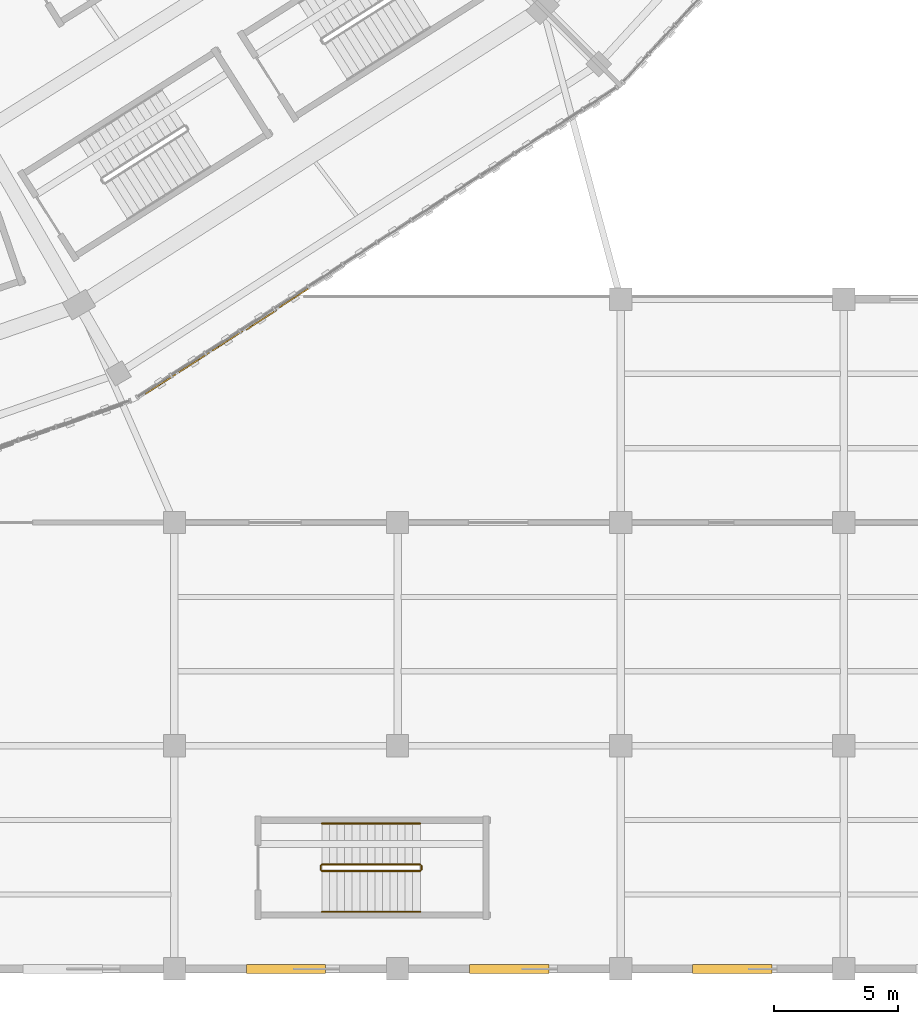
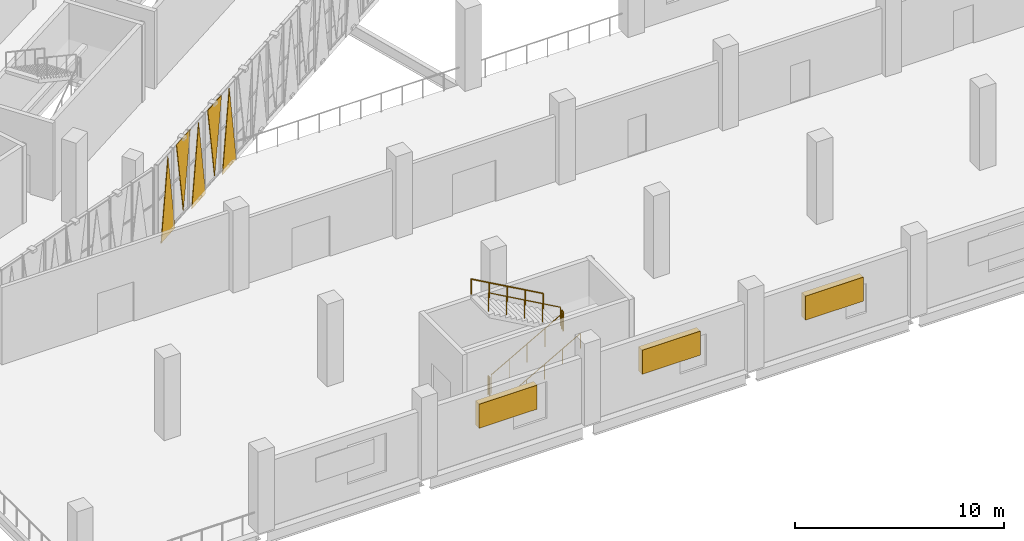
# One storey, part 145 of 183: 6 railings, 5 coverings, 3 shading devices.
"""IFC4 building model written with IfcOpenShell, lengths in metres."""

from ifc_helpers import new_model, si_unit, direction, frame, origin, origin_2d, place, context, subcontext, project, spatial, polyline, rectangle, circle, outline, extrude, material, layer, layer_set, type_object, element, save


model = new_model("IFC4")

# Units and contexts
model_context = context("Model", 3, precision=1e-05, world=origin(), true_north=direction((0.0, 1.0)))
body_context = subcontext(model_context, "Body", "Model", "MODEL_VIEW")
ifc_project = project(units=[si_unit("LENGTHUNIT", "METRE"), si_unit("AREAUNIT", "SQUARE_METRE"), si_unit("VOLUMEUNIT", "CUBIC_METRE"), si_unit("PLANEANGLEUNIT", "RADIAN"), si_unit("MASSUNIT", "GRAM", prefix="KILO")], contexts=[model_context])

# Site, building, storey
site_placement = place(None, origin())
site = spatial("IfcSite", under=ifc_project, at=site_placement, CompositionType="ELEMENT")
building_placement = place(site_placement, origin())
building = spatial("IfcBuilding", under=site, at=building_placement, Name="Zevraka Park Crest Stadium", CompositionType="ELEMENT")
storey_placement = place(building_placement, frame((0.0, 0.0, 5.39990234375)))
storey = spatial("IfcBuildingStorey", under=building, at=storey_placement, Name="L01", CompositionType="ELEMENT", Elevation=5.39990234375)

# Coverings
ifc_material_1 = material(Name="Architectural golden-bronze perforated aluminium", Category="aluminium")
ifc_layer_1 = layer(ifc_material_1, 0.034912109375)
ifc_layer_set_1 = layer_set([ifc_layer_1], Name="Architectural golden-bronze perforated aluminium")
covering_type = type_object("IfcCoveringType", Name="CLD01", PredefinedType="CLADDING", material=ifc_layer_set_1)
covering_1_placement = place(storey_placement, frame((159.844970703125, 23.178955078125, -0.260009765625), z_axis=(0.542438504887, -0.840095510683, 3.668756e-05), x_axis=(0.840095511248, 0.542438505252, 0.0)))
element("IfcCovering", 1, at=covering_1_placement, inside=storey, type_object=covering_type, Name="Triangular Golden-Bronze Perforated Cladding L01-20-1", PredefinedType="CLADDING", context=body_context, shape_type="SweptSolid", body=[
    extrude(outline(polyline([(0.0, 0.0), (1.4452063031746218, 0.0), (0.7225668165035711, 4.6000976593458125), (0.0, 0.0)])), origin(), (0.0, 0.0, -1.0), 0.034912109375),
])
covering_2_placement = place(storey_placement, frame((162.407958984375, 24.833984375, 4.5), z_axis=(0.542515495778, -0.840045794148, 2.3960234e-05), x_axis=(-0.840045794389, -0.542515495934, 0.0)))
element("IfcCovering", 2, at=covering_2_placement, inside=storey, type_object=covering_type, Name="Triangular Golden-Bronze Perforated Cladding L01-20-2", PredefinedType="CLADDING", context=body_context, shape_type="SweptSolid", body=[
    extrude(outline(polyline([(0.0, 0.0), (1.4450012077999677, 0.0), (0.7225668289361087, 4.279785157478496), (0.0, 0.0)])), origin(), (0.0, 0.0, -1.0), 0.034912109375),
])
covering_3_placement = place(storey_placement, frame((162.5419921875, 24.9208984375, -0.260009765625), z_axis=(0.542557713864, -0.840018527724, 1.4397562e-05), x_axis=(0.840018527811, 0.542557713921, 0.0)))
element("IfcCovering", 3, at=covering_3_placement, inside=storey, type_object=covering_type, Name="Triangular Golden-Bronze Perforated Cladding L01-20-3", PredefinedType="CLADDING", context=body_context, shape_type="SweptSolid", body=[
    extrude(outline(polyline([(0.0, 0.0), (1.4453387490028242, 1.6940658945086007e-21), (0.7225668331772165, 4.600097656726777), (0.0, 0.0)])), origin(), (0.0, 0.0, -1.0), 0.034912109375),
])
covering_4_placement = place(storey_placement, frame((165.10498046875, 26.575927734375, 4.5), z_axis=(-0.542607308188, 0.839986492333, 4.2410038e-05), x_axis=(-0.839986493089, -0.542607308676, 0.0)))
element("IfcCovering", 4, at=covering_4_placement, inside=storey, type_object=covering_type, Name="Triangular Golden-Bronze Perforated Cladding L01-20-4", PredefinedType="CLADDING", context=body_context, shape_type="SweptSolid", body=[
    extrude(outline(polyline([(0.0, 0.0), (1.446556463255764, 3.3881317890172014e-21), (0.722434363340672, -4.279785160098836), (0.0, 0.0)])), origin(), (0.0, 0.0, -1.0), 0.034912109375),
])
covering_5_placement = place(storey_placement, frame((165.239013671875, 26.662109375, -0.260009765625), z_axis=(0.542992143946, -0.839737772846, 6.6851006e-05), x_axis=(0.839737774722, 0.542992145159, 0.0)))
element("IfcCovering", 5, at=covering_5_placement, inside=storey, type_object=covering_type, Name="Triangular Golden-Bronze Perforated Cladding L01-20-5", PredefinedType="CLADDING", context=body_context, shape_type="SweptSolid", body=[
    extrude(outline(polyline([(0.0, 0.0), (1.4455312408705225, 0.0), (0.7229644700977951, 4.6000976665290505), (0.0, 0.0)])), origin(), (0.0, 0.0, -1.0), 0.034912109375),
])

# Railings
ifc_material_2 = material(Name="Powder-coated tubular steel stairwell guard", Category="steel")
railing_type_1 = type_object("IfcRailingType", Name="GR03", PredefinedType="GUARDRAIL", material=ifc_material_2)
railing_1_placement = place(storey_placement, frame((166.949951171875, 3.949951171875, 0.171630859375)))
element("IfcRailing", 6, at=railing_1_placement, inside=storey, type_object=railing_type_1, Name="L01 ST53 stair guard 1", PredefinedType="GUARDRAIL", context=body_context, shape_type="SweptSolid", body=[
    extrude(circle(Radius=0.02392578125, at=origin_2d()), frame((0.0, 0.0, 1.076171875), z_axis=(0.871748933509, 0.0, 0.489952851738), x_axis=(0.0, 1.0, 0.0)), (0.0, 0.0, 1.0), 4.54833984375),
    extrude(circle(Radius=0.02099609375, at=origin_2d()), origin(), (0.0, 0.0, 1.0), 1.052001953125),
    extrude(circle(Radius=0.02099609375, at=origin_2d()), frame((0.9912109375, 0.0, 0.55712890625)), (0.0, 0.0, 1.0), 1.052001953125),
    extrude(circle(Radius=0.02099609375, at=origin_2d()), frame((1.982421875, 0.0, 1.1142578125)), (0.0, 0.0, 1.0), 1.052001953125),
    extrude(circle(Radius=0.02099609375, at=origin_2d()), frame((2.973876953125, 0.0, 1.67138671875)), (0.0, 0.0, 1.0), 1.052001953125),
    extrude(circle(Radius=0.02099609375, at=origin_2d()), frame((3.965087890625, 0.0, 2.228515625)), (0.0, 0.0, 1.0), 1.052001953125),
])
railing_2_placement = place(storey_placement, frame((170.965087890625, 4.0, 2.400146484375)))
element("IfcRailing", 7, at=railing_2_placement, inside=storey, type_object=railing_type_1, Name="L01 ST53 stair guard 2", PredefinedType="GUARDRAIL", context=body_context, shape_type="SweptSolid", body=[
    extrude(circle(Radius=0.02392578125, at=origin_2d()), frame((0.0, 0.0, 1.076171875), z_axis=(0.0, 1.0, 0.0), x_axis=(-1.0, 0.0, 0.0)), (0.0, 0.0, 1.0), 0.159912109375),
    extrude(circle(Radius=0.02099609375, at=origin_2d()), origin(), (0.0, 0.0, 1.0), 1.052001953125),
    extrude(circle(Radius=0.02099609375, at=origin_2d()), frame((0.0, 0.159912109375, 0.0)), (0.0, 0.0, 1.0), 1.052001953125),
])
railing_3_placement = place(storey_placement, frame((170.9150390625, 4.2099609375, 2.571533203125)))
element("IfcRailing", 8, at=railing_3_placement, inside=storey, type_object=railing_type_1, Name="L01 ST53 stair guard 3", PredefinedType="GUARDRAIL", context=body_context, shape_type="SweptSolid", body=[
    extrude(circle(Radius=0.02392578125, at=origin_2d()), frame((0.0, 0.0, 1.076171875), z_axis=(-0.871748933509, 0.0, 0.489952851738), x_axis=(0.0, -1.0, 0.0)), (0.0, 0.0, 1.0), 4.54833984375),
    extrude(circle(Radius=0.02099609375, at=origin_2d()), origin(), (0.0, 0.0, 1.0), 1.052001953125),
    extrude(circle(Radius=0.02099609375, at=origin_2d()), frame((-0.9912109375, 0.0, 0.55712890625)), (0.0, 0.0, 1.0), 1.052001953125),
    extrude(circle(Radius=0.02099609375, at=origin_2d()), frame((-1.982421875, 0.0, 1.1142578125)), (0.0, 0.0, 1.0), 1.052001953125),
    extrude(circle(Radius=0.02099609375, at=origin_2d()), frame((-2.973876953125, 0.0, 1.67138671875)), (0.0, 0.0, 1.0), 1.052001953125),
    extrude(circle(Radius=0.02099609375, at=origin_2d()), frame((-3.965087890625, 0.0, 2.228515625)), (0.0, 0.0, 1.0), 1.052001953125),
])
railing_4_placement = place(storey_placement, frame((166.89990234375, 4.0, 0.0)))
element("IfcRailing", 9, at=railing_4_placement, inside=storey, type_object=railing_type_1, Name="L01 ST53 stair guard 4", PredefinedType="GUARDRAIL", context=body_context, shape_type="SweptSolid", body=[
    extrude(circle(Radius=0.02392578125, at=origin_2d()), frame((0.0, 0.0, 1.076171875), z_axis=(0.0, 1.0, 0.0), x_axis=(-1.0, 0.0, 0.0)), (0.0, 0.0, 1.0), 0.159912109375),
    extrude(circle(Radius=0.02099609375, at=origin_2d()), origin(), (0.0, 0.0, 1.0), 1.052001953125),
    extrude(circle(Radius=0.02099609375, at=origin_2d()), frame((0.0, 0.159912109375, 0.0)), (0.0, 0.0, 1.0), 1.052001953125),
])
ifc_material_3 = material(Name="Brushed stainless steel continuous handrail", Category="steel")
railing_type_2 = type_object("IfcRailingType", Name="HR01", PredefinedType="HANDRAIL", material=ifc_material_3)
railing_5_placement = place(storey_placement, frame((166.949951171875, 2.300048828125, 0.171630859375)))
element("IfcRailing", 10, at=railing_5_placement, inside=storey, type_object=railing_type_2, Name="L01 ST53 stair handrail 1", PredefinedType="HANDRAIL", context=body_context, shape_type="SweptSolid", body=[
    extrude(circle(Radius=0.02392578125, at=origin_2d()), frame((0.0, 0.0, 0.8759765625), z_axis=(0.871748933509, 0.0, 0.489952851738), x_axis=(0.0, 1.0, 0.0)), (0.0, 0.0, 1.0), 4.54833984375),
    extrude(circle(Radius=0.02099609375, at=origin_2d()), origin(), (0.0, 0.0, 1.0), 0.851806640625),
    extrude(circle(Radius=0.02099609375, at=origin_2d()), frame((0.9912109375, 0.0, 0.55712890625)), (0.0, 0.0, 1.0), 0.851806640625),
    extrude(circle(Radius=0.02099609375, at=origin_2d()), frame((1.982421875, 0.0, 1.1142578125)), (0.0, 0.0, 1.0), 0.851806640625),
    extrude(circle(Radius=0.02099609375, at=origin_2d()), frame((2.973876953125, 0.0, 1.67138671875)), (0.0, 0.0, 1.0), 0.851806640625),
    extrude(circle(Radius=0.02099609375, at=origin_2d()), frame((3.965087890625, 0.0, 2.228515625)), (0.0, 0.0, 1.0), 0.851806640625),
])
railing_6_placement = place(storey_placement, frame((170.9150390625, 5.860107421875, 2.571533203125)))
element("IfcRailing", 11, at=railing_6_placement, inside=storey, type_object=railing_type_2, Name="L01 ST53 stair handrail 2", PredefinedType="HANDRAIL", context=body_context, shape_type="SweptSolid", body=[
    extrude(circle(Radius=0.02392578125, at=origin_2d()), frame((0.0, 0.0, 0.8759765625), z_axis=(-0.871748933509, 0.0, 0.489952851738), x_axis=(0.0, -1.0, 0.0)), (0.0, 0.0, 1.0), 4.54833984375),
    extrude(circle(Radius=0.02099609375, at=origin_2d()), origin(), (0.0, 0.0, 1.0), 0.851806640625),
    extrude(circle(Radius=0.02099609375, at=origin_2d()), frame((-0.9912109375, 0.0, 0.55712890625)), (0.0, 0.0, 1.0), 0.851806640625),
    extrude(circle(Radius=0.02099609375, at=origin_2d()), frame((-1.982421875, 0.0, 1.1142578125)), (0.0, 0.0, 1.0), 0.851806640625),
    extrude(circle(Radius=0.02099609375, at=origin_2d()), frame((-2.973876953125, 0.0, 1.67138671875)), (0.0, 0.0, 1.0), 0.851806640625),
    extrude(circle(Radius=0.02099609375, at=origin_2d()), frame((-3.965087890625, 0.0, 2.228515625)), (0.0, 0.0, 1.0), 0.851806640625),
])

# Shading devices
ifc_material_4 = material(Name="Terracotta and bronze acoustic ventilation louvre", Category="masonry")
ifc_layer_2 = layer(ifc_material_4, 0.080078125)
ifc_layer_set_2 = layer_set([ifc_layer_2], Name="Terracotta and bronze acoustic ventilation louvre")
shading_device_type = type_object("IfcShadingDeviceType", Name="LVR01", PredefinedType="USERDEFINED", material=ifc_layer_set_2)
for number, where, z_axis, x_axis, name in (
    (12, (183.5, 0.0, 1.7001953125), (0.0, 0.0, 1.0), (-1.0, 0.0, 0.0), "Plant Ventilation Louvre LVR01 L01-5"),
    (13, (174.5, 0.0, 1.7001953125), (0.0, 0.0, 1.0), (-1.0, 0.0, 0.0), "Plant Ventilation Louvre LVR01 L01-6"),
    (14, (165.5, 0.0, 1.7001953125), (0.0, 0.0, 1.0), (-1.0, 0.0, 0.0), "Plant Ventilation Louvre LVR01 L01-7"),
):
    element("IfcShadingDevice", number, at=place(storey_placement, frame(where, z_axis=z_axis, x_axis=x_axis)), inside=storey, type_object=shading_device_type, Name=name, ObjectType="LOUVRE", PredefinedType="USERDEFINED", context=body_context, shape_type="SweptSolid", body=[
        extrude(rectangle(XDim=3.199951171875, YDim=0.360107421875, at=origin_2d()), origin(), (0.0, 0.0, 1.0), 1.39990234375),
    ])

save(model, "model.ifc")
